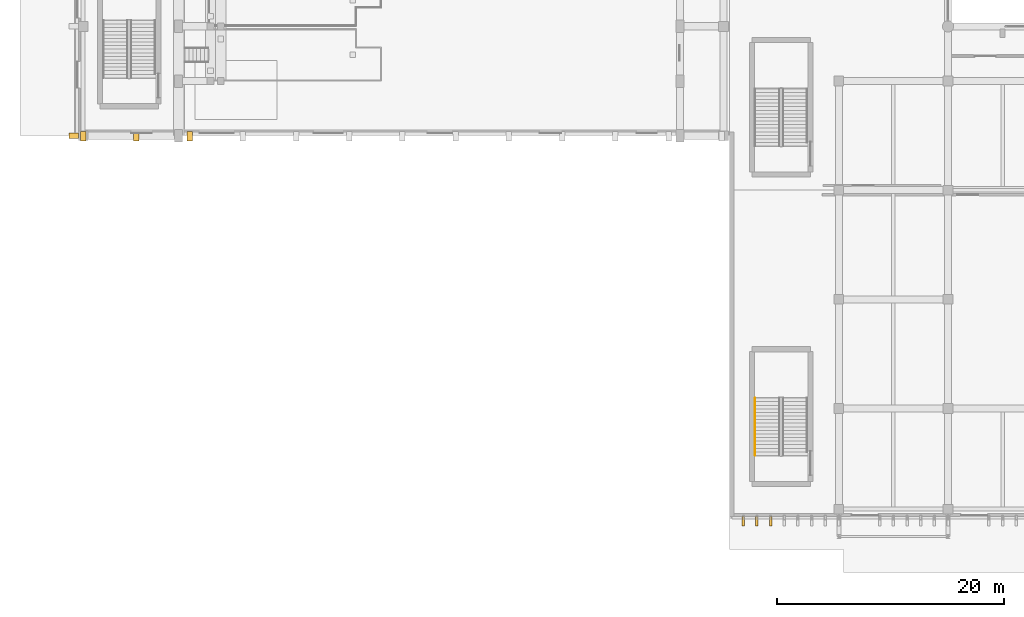
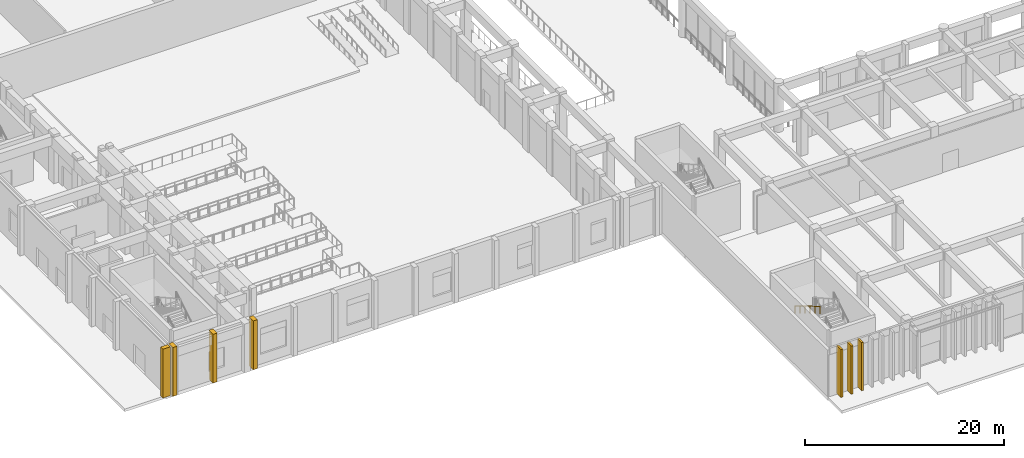
# One storey, part 59 of 87: 7 coverings, 3 shading devices, 1 railing.
"""IFC4 building model written with IfcOpenShell, lengths in metres."""

import ifcopenshell
import ifcopenshell.guid

model = None  # the IFC model being written
_history = None  # IfcOwnerHistory: only IFC2X3 demands one
_inside = {}  # id of a spatial element -> (the spatial element, [elements in it])
_under = {}  # id of a project, library or spatial element -> (it, [spatial elements below it])
_declared = {}  # id of a project -> (the project, [libraries it declares])
_typed = {}  # id of a type object -> (the type object, [elements of that type])
_made_of = {}  # id of a material, layer set ... -> (it, [elements and type objects made of it])


def new_model(schema):
    """Start an empty IFC model of exactly this schema.

    Asked for "IFC4X3", IfcOpenShell would pick the latest addendum, in which some entities
    have other attributes; the version numbers below select the first issue.
    IFC2X3 requires an IfcOwnerHistory on every rooted entity: one is made here for all.
    """
    global model, _history
    if schema == "IFC4X3":
        model = ifcopenshell.file(schema_version=(4, 3, 0, 0))
    else:
        model = ifcopenshell.file(schema=schema)
    _inside.clear()
    _under.clear()
    _declared.clear()
    _typed.clear()
    _made_of.clear()
    _history = None
    if model.schema == "IFC2X3":
        org = make("IfcOrganization", Name="unknown")
        user = make(
            "IfcPersonAndOrganization",
            ThePerson=make("IfcPerson", FamilyName="unknown"),
            TheOrganization=org,
        )
        app = make(
            "IfcApplication",
            ApplicationDeveloper=org,
            Version="unknown",
            ApplicationFullName="unknown",
            ApplicationIdentifier="unknown",
        )
        _history = make(
            "IfcOwnerHistory",
            OwningUser=user,
            OwningApplication=app,
            ChangeAction="ADDED",
            CreationDate=0,
        )
    return model


def make(cls, **values):
    """One entity of the class cls with the attributes given. An attribute that is None is left unset."""
    return model.create_entity(
        cls, **{name: value for name, value in values.items() if value is not None}
    )


def rooted(cls, **values):
    """An entity with a GlobalId (a new one), such as an element, a storey or a relation."""
    return make(cls, GlobalId=ifcopenshell.guid.new(), OwnerHistory=_history, **values)


def si_unit(unit_type, name, prefix=None):
    """IfcSIUnit, for example si_unit("LENGTHUNIT", "METRE", prefix="MILLI")."""
    return make("IfcSIUnit", UnitType=unit_type, Prefix=prefix, Name=name)


def assignment(units):
    """IfcUnitAssignment: the units of a project."""
    return None if units is None else make("IfcUnitAssignment", Units=units)


def point(xyz):
    """IfcCartesianPoint."""
    return None if xyz is None else make("IfcCartesianPoint", Coordinates=xyz)


def direction(xyz):
    """IfcDirection."""
    return None if xyz is None else make("IfcDirection", DirectionRatios=xyz)


def frame(location, z_axis=None, x_axis=None):
    """IfcAxis2Placement3D, a coordinate frame: its origin and axes. An axis left out is left unset."""
    return make(
        "IfcAxis2Placement3D",
        Location=point(location),
        Axis=direction(z_axis),
        RefDirection=direction(x_axis),
    )


def frame_2d(location, x_axis=None):
    """IfcAxis2Placement2D, a coordinate frame in the plane: its origin and x axis."""
    return make(
        "IfcAxis2Placement2D", Location=point(location), RefDirection=direction(x_axis)
    )


def origin():
    """The frame at (0, 0, 0) with its axes left unset."""
    return frame((0.0, 0.0, 0.0))


def origin_2d():
    """The frame at (0, 0) in the plane with its x axis left unset."""
    return frame_2d((0.0, 0.0))


def place(relative_to, where):
    """IfcLocalPlacement: puts the frame where relative to a parent placement (None: the world)."""
    return make(
        "IfcLocalPlacement", PlacementRelTo=relative_to, RelativePlacement=where
    )


def context(
    kind, dimensions, precision=None, world=None, true_north=None, identifier=None
):
    """IfcGeometricRepresentationContext, for example the 3D "Model" context."""
    return make(
        "IfcGeometricRepresentationContext",
        ContextIdentifier=identifier,
        ContextType=kind,
        CoordinateSpaceDimension=dimensions,
        Precision=precision,
        WorldCoordinateSystem=world,
        TrueNorth=true_north,
    )


def subcontext(parent, identifier, kind, view, scale=None):
    """IfcGeometricRepresentationSubContext, for example "Body" below "Model"."""
    return make(
        "IfcGeometricRepresentationSubContext",
        ContextIdentifier=identifier,
        ContextType=kind,
        ParentContext=parent,
        TargetScale=scale,
        TargetView=view,
    )


def project(units=None, contexts=None):
    """IfcProject with its units and contexts."""
    return rooted(
        "IfcProject",
        Name="project",
        RepresentationContexts=contexts,
        UnitsInContext=assignment(units),
    )


def spatial(cls, under=None, at=None, **own):
    """A site, building, storey or space (cls), placed at a placement, below another one or the project."""
    s = rooted(cls, ObjectPlacement=at, **own)
    if under is not None:
        _under.setdefault(under.id(), (under, []))[1].append(s)
    return s


def profile(cls, at=None, kind="AREA", **sizes):
    """A parametric profile (cls). Its sizes go by their IFC names, for example OverallWidth=200.0."""
    return make(cls, ProfileType=kind, Position=at, **sizes)


def rectangle(**sizes):
    """IfcRectangleProfileDef."""
    return profile("IfcRectangleProfileDef", **sizes)


def circle(**sizes):
    """IfcCircleProfileDef."""
    return profile("IfcCircleProfileDef", **sizes)


def extrude(swept, where, along, depth):
    """IfcExtrudedAreaSolid: the profile swept, set in the frame where, extruded along a direction by depth."""
    return make(
        "IfcExtrudedAreaSolid",
        SweptArea=swept,
        Position=where,
        ExtrudedDirection=direction(along),
        Depth=depth,
    )


def shape(context_of_items, identifier, shape_type, items):
    """IfcShapeRepresentation: the items that make up one representation, for example the "Body"."""
    return make(
        "IfcShapeRepresentation",
        ContextOfItems=context_of_items,
        RepresentationIdentifier=identifier,
        RepresentationType=shape_type,
        Items=items,
    )


def material(Name=None, Category=None):
    """IfcMaterial."""
    return make("IfcMaterial", Name=Name, Category=Category)


def layer(
    of_material, thickness, ventilated=None, Name=None, Category=None, Priority=None
):
    """IfcMaterialLayer: one layer of a wall or slab, of a material (None: an air gap)."""
    return make(
        "IfcMaterialLayer",
        Material=of_material,
        LayerThickness=thickness,
        IsVentilated=ventilated,
        Name=Name,
        Category=Category,
        Priority=Priority,
    )


def layer_set(layers, Name=None):
    """IfcMaterialLayerSet."""
    return make("IfcMaterialLayerSet", MaterialLayers=layers, LayerSetName=Name)


def made_of(thing, what):
    """Note that an element or type object is made of a material, layer set ...; save() writes the relation."""
    if what is not None:
        _made_of.setdefault(what.id(), (what, []))[1].append(thing)
    return thing


def type_object(cls, material=None, **own):
    """A type object (cls), such as IfcWallType, which elements share."""
    return made_of(rooted(cls, **own), material)


def element(
    cls,
    number,
    at=None,
    inside=None,
    cuts=None,
    type_object=None,
    material=None,
    context=None,
    identifier="Body",
    shape_type=None,
    held_by="IfcProductDefinitionShape",
    body=None,
    shapes=None,
    **own,
):
    """One element of the class cls, such as IfcWall. Its Tag is "e" and its number.

    at: its placement. inside: the storey or other place that contains it. cuts: it is an
    opening in that element (IfcRelVoidsElement). A single representation is given by context,
    identifier, shape_type and body (its items); several are given by shapes. held_by: the class
    of the entity that holds the representations. save() writes the other relations.
    """
    e = rooted(cls, Tag="e%d" % number, ObjectPlacement=at, **own)
    if body is not None:
        shapes = [shape(context, identifier, shape_type, body)]
    if shapes is not None:
        e.Representation = make(held_by, Representations=shapes)
    if inside is not None:
        _inside.setdefault(inside.id(), (inside, []))[1].append(e)
    if cuts is not None:
        rooted(
            "IfcRelVoidsElement", RelatingBuildingElement=cuts, RelatedOpeningElement=e
        )
    if type_object is not None:
        _typed.setdefault(type_object.id(), (type_object, []))[1].append(e)
    return made_of(e, material)


def aggregate(whole, parts):
    """IfcRelAggregates: a whole, such as a stair, and the parts it consists of."""
    return rooted("IfcRelAggregates", RelatingObject=whole, RelatedObjects=parts)


def save(model, path):
    """Write the relations noted so far, then the file.

    IfcRelAggregates (storeys below a building ...), IfcRelContainedInSpatialStructure (elements
    in a storey), IfcRelDefinesByType, IfcRelAssociatesMaterial and IfcRelDeclares: one each for
    every whole, place, type object, material and project.
    """
    for whole, parts in _under.values():
        aggregate(whole, parts)
    for where, things in _inside.values():
        rooted(
            "IfcRelContainedInSpatialStructure",
            RelatedElements=things,
            RelatingStructure=where,
        )
    for kind, things in _typed.values():
        rooted("IfcRelDefinesByType", RelatedObjects=things, RelatingType=kind)
    for what, things in _made_of.values():
        rooted("IfcRelAssociatesMaterial", RelatedObjects=things, RelatingMaterial=what)
    for by, libraries in _declared.values():
        rooted("IfcRelDeclares", RelatingContext=by, RelatedDefinitions=libraries)
    model.write(path)


model = new_model("IFC4")

# Units and contexts
model_context = context("Model", 3, precision=1e-05, world=origin(), true_north=direction((0.0, 1.0)))
body_context = subcontext(model_context, "Body", "Model", "MODEL_VIEW")
ifc_project = project(units=[si_unit("LENGTHUNIT", "METRE"), si_unit("AREAUNIT", "SQUARE_METRE"), si_unit("VOLUMEUNIT", "CUBIC_METRE"), si_unit("PLANEANGLEUNIT", "RADIAN"), si_unit("MASSUNIT", "GRAM", prefix="KILO")], contexts=[model_context])

# Site, building, storey
site_placement = place(None, origin())
site = spatial("IfcSite", under=ifc_project, at=site_placement, CompositionType="ELEMENT")
building_placement = place(site_placement, origin())
building = spatial("IfcBuilding", under=site, at=building_placement, Name="Nakhvara Creek Congress Hotel", CompositionType="ELEMENT")
storey_placement = place(building_placement, origin())
storey = spatial("IfcBuildingStorey", under=building, at=storey_placement, Name="L00", CompositionType="ELEMENT", Elevation=0.0)

# Coverings
ifc_material_1 = material(Name="Honed pale Omani limestone architectural cladding", Category="masonry")
ifc_layer_1 = layer(ifc_material_1, 0.449951171875)
ifc_layer_set_1 = layer_set([ifc_layer_1], Name="Honed pale Omani limestone architectural cladding")
covering_type_1 = type_object("IfcCoveringType", Name="COV-BUTT-850", PredefinedType="CLADDING", material=ifc_layer_set_1)
for number, where, z_axis, x_axis, name in (
    (1, (-0.06494140625, 33.60009765625, 0.0), (0.0, 0.0, 1.0), (0.0, 1.0, 0.0), "Gothic Limestone Buttress Pier CF03-0398"),
    (2, (0.75, 33.534912109375, 0.0), (0.0, 0.0, 1.0), (1.0, 0.0, 0.0), "Gothic Limestone Buttress Pier CF03-0406"),
    (3, (5.429931640625, 33.534912109375, 0.0), (0.0, 0.0, 1.0), (1.0, 0.0, 0.0), "Gothic Limestone Buttress Pier CF03-0407"),
    (4, (10.110107421875, 33.534912109375, 0.0), (0.0, 0.0, 1.0), (1.0, 0.0, 0.0), "Gothic Limestone Buttress Pier CF03-0408"),
):
    element("IfcCovering", number, at=place(storey_placement, frame(where, z_axis=z_axis, x_axis=x_axis)), inside=storey, type_object=covering_type_1, Name=name, PredefinedType="CLADDING", context=body_context, shape_type="SweptSolid", body=[
        extrude(rectangle(XDim=0.47998046875, YDim=0.85009765625, at=origin_2d()), origin(), (0.0, 0.0, 1.0), 6.0),
    ])
ifc_layer_2 = layer(ifc_material_1, 0.219970703125)
ifc_layer_set_2 = layer_set([ifc_layer_2], Name="Honed pale Omani limestone architectural cladding")
covering_type_2 = type_object("IfcCoveringType", Name="COV-FIN-850", PredefinedType="CLADDING", material=ifc_layer_set_2)
for number, where, z_axis, x_axis, name in (
    (5, (58.800048828125, -0.304931640625, 0.0), (0.0, 0.0, 1.0), (1.0, 0.0, 0.0), "Pale Limestone Fin Cladding CF01-0042"),
    (6, (60.0, -0.304931640625, 0.0), (0.0, 0.0, 1.0), (1.0, 0.0, 0.0), "Pale Limestone Fin Cladding CF01-0043"),
    (7, (61.199951171875, -0.304931640625, 0.0), (0.0, 0.0, 1.0), (1.0, 0.0, 0.0), "Pale Limestone Fin Cladding CF01-0044"),
):
    element("IfcCovering", number, at=place(storey_placement, frame(where, z_axis=z_axis, x_axis=x_axis)), inside=storey, type_object=covering_type_2, Name=name, PredefinedType="CLADDING", context=body_context, shape_type="SweptSolid", body=[
        extrude(rectangle(XDim=0.219970703125, YDim=0.85009765625, at=origin_2d()), origin(), (0.0, 0.0, 1.0), 5.919921875),
    ])

# Railing
ifc_material_2 = material(Name="Brushed stainless steel 316L", Category="steel")
railing_type = type_object("IfcRailingType", Name="RL-HAND-900", PredefinedType="HANDRAIL", material=ifc_material_2)
railing_placement = place(storey_placement, frame((59.844970703125, 10.52001953125, 3.176513671875)))
element("IfcRailing", 8, at=railing_placement, inside=storey, type_object=railing_type, Name="L00 ST11 stair handrail 2", PredefinedType="HANDRAIL", context=body_context, shape_type="SweptSolid", body=[
    extrude(circle(Radius=0.02392578125, at=origin_2d()), frame((0.0, -0.0126953125, 0.88330078125), z_axis=(0.0, -0.858471053773, 0.512862018319), x_axis=(1.0, 0.0, 0.0)), (0.0, 0.0, 1.0), 5.841552734375),
    extrude(circle(Radius=0.02099609375, at=origin_2d()), origin(), (0.0, 0.0, 1.0), 0.880615234375),
    extrude(circle(Radius=0.02099609375, at=origin_2d()), frame((0.0, -1.008056640625, 0.602294921875)), (0.0, 0.0, 1.0), 0.880615234375),
    extrude(circle(Radius=0.02099609375, at=origin_2d()), frame((0.0, -2.01611328125, 1.204345703125)), (0.0, 0.0, 1.0), 0.880615234375),
    extrude(circle(Radius=0.02099609375, at=origin_2d()), frame((0.0, -3.02392578125, 1.806640625)), (0.0, 0.0, 1.0), 0.880615234375),
    extrude(circle(Radius=0.02099609375, at=origin_2d()), frame((0.0, -4.031982421875, 2.40869140625)), (0.0, 0.0, 1.0), 0.880615234375),
    extrude(circle(Radius=0.02099609375, at=origin_2d()), frame((0.0, -5.0400390625, 3.010986328125)), (0.0, 0.0, 1.0), 0.880615234375),
])

# Shading devices
ifc_material_3 = material(Name="Honed pale Omani limestone cladding on stainless steel spine", Category="masonry")
shading_device_type = type_object("IfcShadingDeviceType", Name="SHD-FIN-850X5800", PredefinedType="USERDEFINED", material=ifc_material_3)
for number, where, z_axis, x_axis, name in (
    (9, (58.800048828125, -0.304931640625, 0.0), (0.0, 0.0, 1.0), (1.0, 0.0, 0.0), "Limestone Solar Fin FN03-0042"),
    (10, (60.0, -0.304931640625, 0.0), (0.0, 0.0, 1.0), (1.0, 0.0, 0.0), "Limestone Solar Fin FN03-0043"),
    (11, (61.199951171875, -0.304931640625, 0.0), (0.0, 0.0, 1.0), (1.0, 0.0, 0.0), "Limestone Solar Fin FN03-0044"),
):
    element("IfcShadingDevice", number, at=place(storey_placement, frame(where, z_axis=z_axis, x_axis=x_axis)), inside=storey, type_object=shading_device_type, Name=name, ObjectType="FIN", PredefinedType="USERDEFINED", context=body_context, shape_type="SweptSolid", body=[
        extrude(rectangle(XDim=0.219970703125, YDim=0.85009765625, at=origin_2d()), origin(), (0.0, 0.0, 1.0), 5.919921875),
    ])

save(model, "model.ifc")
